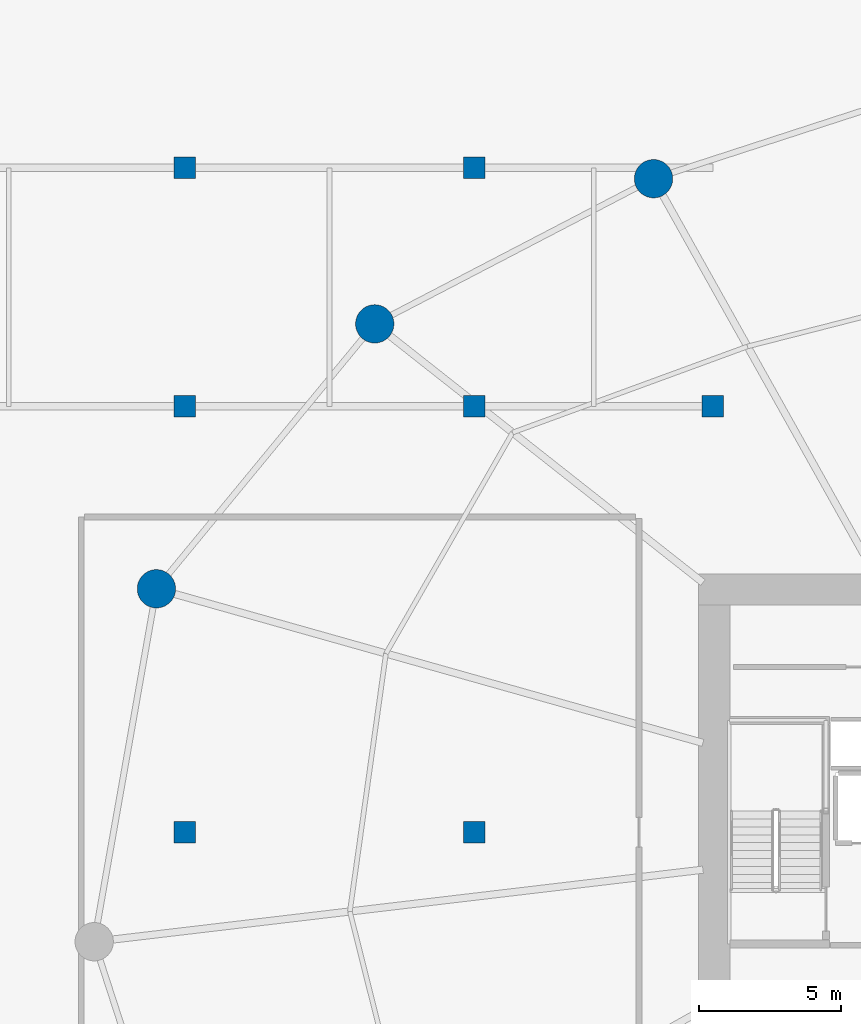
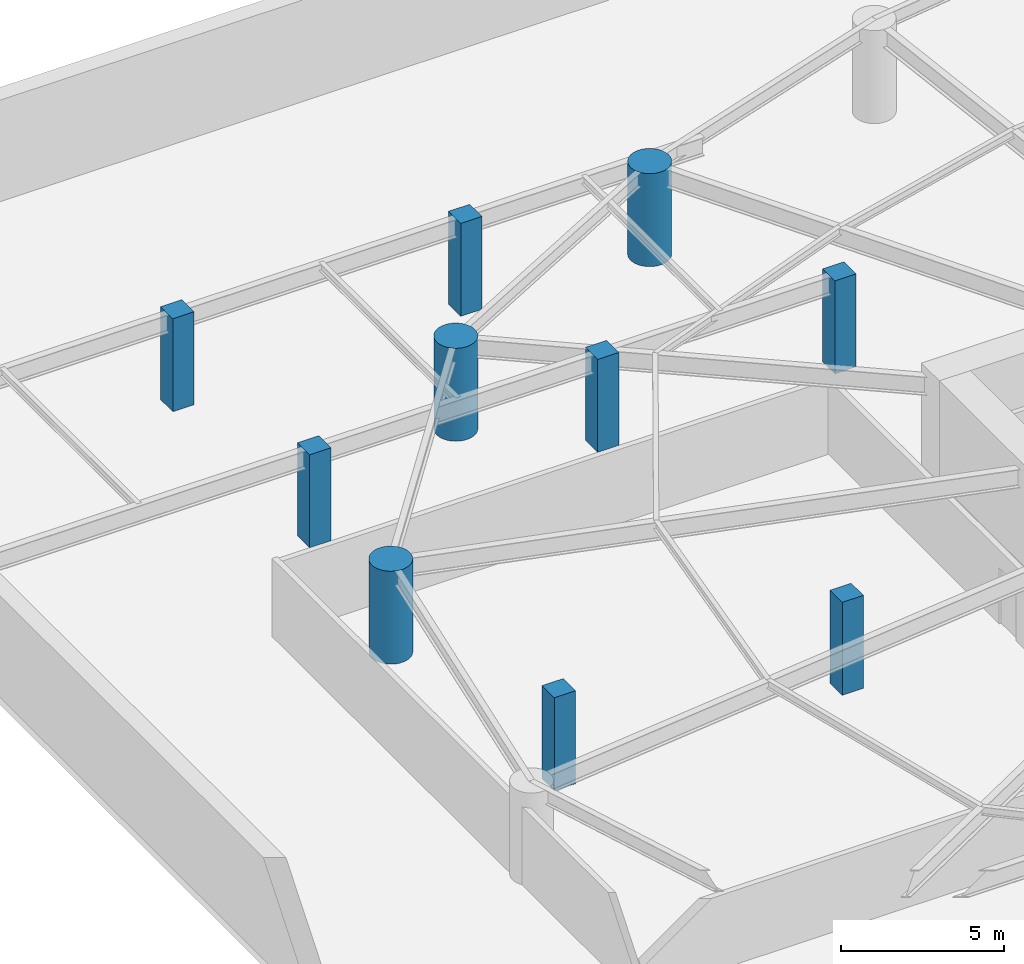
# One storey, part 3 of 13: 10 columns.
"""IFC4 building model written with IfcOpenShell, lengths in metres."""

import ifcopenshell
import ifcopenshell.guid

model = None  # the IFC model being written
_history = None  # IfcOwnerHistory: only IFC2X3 demands one
_inside = {}  # id of a spatial element -> (the spatial element, [elements in it])
_under = {}  # id of a project, library or spatial element -> (it, [spatial elements below it])
_declared = {}  # id of a project -> (the project, [libraries it declares])
_typed = {}  # id of a type object -> (the type object, [elements of that type])
_made_of = {}  # id of a material, layer set ... -> (it, [elements and type objects made of it])


def new_model(schema):
    """Start an empty IFC model of exactly this schema.

    Asked for "IFC4X3", IfcOpenShell would pick the latest addendum, in which some entities
    have other attributes; the version numbers below select the first issue.
    IFC2X3 requires an IfcOwnerHistory on every rooted entity: one is made here for all.
    """
    global model, _history
    if schema == "IFC4X3":
        model = ifcopenshell.file(schema_version=(4, 3, 0, 0))
    else:
        model = ifcopenshell.file(schema=schema)
    _inside.clear()
    _under.clear()
    _declared.clear()
    _typed.clear()
    _made_of.clear()
    _history = None
    if model.schema == "IFC2X3":
        org = make("IfcOrganization", Name="unknown")
        user = make(
            "IfcPersonAndOrganization",
            ThePerson=make("IfcPerson", FamilyName="unknown"),
            TheOrganization=org,
        )
        app = make(
            "IfcApplication",
            ApplicationDeveloper=org,
            Version="unknown",
            ApplicationFullName="unknown",
            ApplicationIdentifier="unknown",
        )
        _history = make(
            "IfcOwnerHistory",
            OwningUser=user,
            OwningApplication=app,
            ChangeAction="ADDED",
            CreationDate=0,
        )
    return model


def make(cls, **values):
    """One entity of the class cls with the attributes given. An attribute that is None is left unset."""
    return model.create_entity(
        cls, **{name: value for name, value in values.items() if value is not None}
    )


def rooted(cls, **values):
    """An entity with a GlobalId (a new one), such as an element, a storey or a relation."""
    return make(cls, GlobalId=ifcopenshell.guid.new(), OwnerHistory=_history, **values)


def si_unit(unit_type, name, prefix=None):
    """IfcSIUnit, for example si_unit("LENGTHUNIT", "METRE", prefix="MILLI")."""
    return make("IfcSIUnit", UnitType=unit_type, Prefix=prefix, Name=name)


def assignment(units):
    """IfcUnitAssignment: the units of a project."""
    return None if units is None else make("IfcUnitAssignment", Units=units)


def point(xyz):
    """IfcCartesianPoint."""
    return None if xyz is None else make("IfcCartesianPoint", Coordinates=xyz)


def direction(xyz):
    """IfcDirection."""
    return None if xyz is None else make("IfcDirection", DirectionRatios=xyz)


def frame(location, z_axis=None, x_axis=None):
    """IfcAxis2Placement3D, a coordinate frame: its origin and axes. An axis left out is left unset."""
    return make(
        "IfcAxis2Placement3D",
        Location=point(location),
        Axis=direction(z_axis),
        RefDirection=direction(x_axis),
    )


def frame_2d(location, x_axis=None):
    """IfcAxis2Placement2D, a coordinate frame in the plane: its origin and x axis."""
    return make(
        "IfcAxis2Placement2D", Location=point(location), RefDirection=direction(x_axis)
    )


def origin():
    """The frame at (0, 0, 0) with its axes left unset."""
    return frame((0.0, 0.0, 0.0))


def origin_2d():
    """The frame at (0, 0) in the plane with its x axis left unset."""
    return frame_2d((0.0, 0.0))


def place(relative_to, where):
    """IfcLocalPlacement: puts the frame where relative to a parent placement (None: the world)."""
    return make(
        "IfcLocalPlacement", PlacementRelTo=relative_to, RelativePlacement=where
    )


def context(
    kind, dimensions, precision=None, world=None, true_north=None, identifier=None
):
    """IfcGeometricRepresentationContext, for example the 3D "Model" context."""
    return make(
        "IfcGeometricRepresentationContext",
        ContextIdentifier=identifier,
        ContextType=kind,
        CoordinateSpaceDimension=dimensions,
        Precision=precision,
        WorldCoordinateSystem=world,
        TrueNorth=true_north,
    )


def subcontext(parent, identifier, kind, view, scale=None):
    """IfcGeometricRepresentationSubContext, for example "Body" below "Model"."""
    return make(
        "IfcGeometricRepresentationSubContext",
        ContextIdentifier=identifier,
        ContextType=kind,
        ParentContext=parent,
        TargetScale=scale,
        TargetView=view,
    )


def project(units=None, contexts=None):
    """IfcProject with its units and contexts."""
    return rooted(
        "IfcProject",
        Name="project",
        RepresentationContexts=contexts,
        UnitsInContext=assignment(units),
    )


def spatial(cls, under=None, at=None, **own):
    """A site, building, storey or space (cls), placed at a placement, below another one or the project."""
    s = rooted(cls, ObjectPlacement=at, **own)
    if under is not None:
        _under.setdefault(under.id(), (under, []))[1].append(s)
    return s


def profile(cls, at=None, kind="AREA", **sizes):
    """A parametric profile (cls). Its sizes go by their IFC names, for example OverallWidth=200.0."""
    return make(cls, ProfileType=kind, Position=at, **sizes)


def rectangle(**sizes):
    """IfcRectangleProfileDef."""
    return profile("IfcRectangleProfileDef", **sizes)


def circle(**sizes):
    """IfcCircleProfileDef."""
    return profile("IfcCircleProfileDef", **sizes)


def extrude(swept, where, along, depth):
    """IfcExtrudedAreaSolid: the profile swept, set in the frame where, extruded along a direction by depth."""
    return make(
        "IfcExtrudedAreaSolid",
        SweptArea=swept,
        Position=where,
        ExtrudedDirection=direction(along),
        Depth=depth,
    )


def shape(context_of_items, identifier, shape_type, items):
    """IfcShapeRepresentation: the items that make up one representation, for example the "Body"."""
    return make(
        "IfcShapeRepresentation",
        ContextOfItems=context_of_items,
        RepresentationIdentifier=identifier,
        RepresentationType=shape_type,
        Items=items,
    )


def material(Name=None, Category=None):
    """IfcMaterial."""
    return make("IfcMaterial", Name=Name, Category=Category)


def material_profile(
    of_material, cross_section, Name=None, Category=None, Priority=None
):
    """IfcMaterialProfile: a cross section and its material."""
    return make(
        "IfcMaterialProfile",
        Name=Name,
        Material=of_material,
        Profile=cross_section,
        Priority=Priority,
        Category=Category,
    )


def profile_set(profiles, Name=None, composite=None):
    """IfcMaterialProfileSet."""
    return make(
        "IfcMaterialProfileSet",
        Name=Name,
        MaterialProfiles=profiles,
        CompositeProfile=composite,
    )


def made_of(thing, what):
    """Note that an element or type object is made of a material, layer set ...; save() writes the relation."""
    if what is not None:
        _made_of.setdefault(what.id(), (what, []))[1].append(thing)
    return thing


def type_object(cls, material=None, **own):
    """A type object (cls), such as IfcWallType, which elements share."""
    return made_of(rooted(cls, **own), material)


def element(
    cls,
    number,
    at=None,
    inside=None,
    cuts=None,
    type_object=None,
    material=None,
    context=None,
    identifier="Body",
    shape_type=None,
    held_by="IfcProductDefinitionShape",
    body=None,
    shapes=None,
    **own,
):
    """One element of the class cls, such as IfcWall. Its Tag is "e" and its number.

    at: its placement. inside: the storey or other place that contains it. cuts: it is an
    opening in that element (IfcRelVoidsElement). A single representation is given by context,
    identifier, shape_type and body (its items); several are given by shapes. held_by: the class
    of the entity that holds the representations. save() writes the other relations.
    """
    e = rooted(cls, Tag="e%d" % number, ObjectPlacement=at, **own)
    if body is not None:
        shapes = [shape(context, identifier, shape_type, body)]
    if shapes is not None:
        e.Representation = make(held_by, Representations=shapes)
    if inside is not None:
        _inside.setdefault(inside.id(), (inside, []))[1].append(e)
    if cuts is not None:
        rooted(
            "IfcRelVoidsElement", RelatingBuildingElement=cuts, RelatedOpeningElement=e
        )
    if type_object is not None:
        _typed.setdefault(type_object.id(), (type_object, []))[1].append(e)
    return made_of(e, material)


def aggregate(whole, parts):
    """IfcRelAggregates: a whole, such as a stair, and the parts it consists of."""
    return rooted("IfcRelAggregates", RelatingObject=whole, RelatedObjects=parts)


def save(model, path):
    """Write the relations noted so far, then the file.

    IfcRelAggregates (storeys below a building ...), IfcRelContainedInSpatialStructure (elements
    in a storey), IfcRelDefinesByType, IfcRelAssociatesMaterial and IfcRelDeclares: one each for
    every whole, place, type object, material and project.
    """
    for whole, parts in _under.values():
        aggregate(whole, parts)
    for where, things in _inside.values():
        rooted(
            "IfcRelContainedInSpatialStructure",
            RelatedElements=things,
            RelatingStructure=where,
        )
    for kind, things in _typed.values():
        rooted("IfcRelDefinesByType", RelatedObjects=things, RelatingType=kind)
    for what, things in _made_of.values():
        rooted("IfcRelAssociatesMaterial", RelatedObjects=things, RelatingMaterial=what)
    for by, libraries in _declared.values():
        rooted("IfcRelDeclares", RelatingContext=by, RelatedDefinitions=libraries)
    model.write(path)


model = new_model("IFC4")

# Units and contexts
model_context = context("Model", 3, precision=1e-05, world=origin(), true_north=direction((0.0, 1.0)))
body_context = subcontext(model_context, "Body", "Model", "MODEL_VIEW")
ifc_project = project(units=[si_unit("LENGTHUNIT", "METRE"), si_unit("AREAUNIT", "SQUARE_METRE"), si_unit("VOLUMEUNIT", "CUBIC_METRE"), si_unit("PLANEANGLEUNIT", "RADIAN"), si_unit("MASSUNIT", "GRAM", prefix="KILO")], contexts=[model_context])

# Site, building, storey
site_placement = place(None, origin())
site = spatial("IfcSite", under=ifc_project, at=site_placement, CompositionType="ELEMENT")
building_placement = place(site_placement, origin())
building = spatial("IfcBuilding", under=site, at=building_placement, Name="Kazma Halo Residences", CompositionType="ELEMENT")
storey_placement = place(building_placement, frame((0.0, 0.0, -3.800048828125)))
storey = spatial("IfcBuildingStorey", under=building, at=storey_placement, Name="B01", CompositionType="ELEMENT", Elevation=-3.800048828125)

# Columns
ifc_material_1 = material(Name="Concrete C60/75", Category="concrete")
ifc_material_profile_1 = material_profile(ifc_material_1, rectangle(XDim=0.75, YDim=0.75, at=origin_2d()), Name="RECT750x750")
ifc_profile_set_1 = profile_set([ifc_material_profile_1], Name="Concrete C60/75")
column_type_1 = type_object("IfcColumnType", Name="COL-BSMT-750", PredefinedType="COLUMN", material=ifc_profile_set_1)
for number, where, z_axis, x_axis, name in (
    (1, (18.60009765625, 42.0, 0.0), (0.0, 0.0, 1.0), (1.0, 0.0, 0.0), "B01 parking grid column 03"),
    (2, (18.60009765625, 57.0, 0.0), (0.0, 0.0, 1.0), (1.0, 0.0, 0.0), "B01 parking grid column 04"),
    (3, (18.60009765625, 65.39990234375, 0.0), (0.0, 0.0, 1.0), (1.0, 0.0, 0.0), "B01 parking grid column 05"),
    (4, (28.800048828125, 42.0, 0.0), (0.0, 0.0, 1.0), (1.0, 0.0, 0.0), "B01 parking grid column 08"),
    (5, (28.800048828125, 57.0, 0.0), (0.0, 0.0, 1.0), (1.0, 0.0, 0.0), "B01 parking grid column 09"),
    (6, (28.800048828125, 65.39990234375, 0.0), (0.0, 0.0, 1.0), (1.0, 0.0, 0.0), "B01 parking grid column 10"),
    (7, (37.199951171875, 57.0, 0.0), (0.0, 0.0, 1.0), (1.0, 0.0, 0.0), "B01 parking grid column 13"),
):
    element("IfcColumn", number, at=place(storey_placement, frame(where, z_axis=z_axis, x_axis=x_axis)), inside=storey, type_object=column_type_1, Name=name, PredefinedType="COLUMN", context=body_context, shape_type="SweptSolid", body=[
        extrude(rectangle(XDim=0.75, YDim=0.75, at=origin_2d()), origin(), (0.0, 0.0, 1.0), 3.47998046875),
    ])
ifc_material_2 = material(Name="Concrete C80/95", Category="concrete")
ifc_material_profile_2 = material_profile(ifc_material_2, circle(Radius=0.675048828125, at=origin_2d()), Name="CIRC1350")
ifc_profile_set_2 = profile_set([ifc_material_profile_2], Name="Concrete C80/95")
column_type_2 = type_object("IfcColumnType", Name="COL-PERIM-1350", PredefinedType="COLUMN", material=ifc_profile_set_2)
for number, where, z_axis, x_axis, name in (
    (8, (35.110595703125, 65.015625, 0.0), (0.0, 0.0, 1.0), (1.0, 0.0, 0.0), "B01 perimeter ring column P05"),
    (9, (25.291015625, 59.90234375, 0.0), (0.0, 0.0, 1.0), (1.0, 0.0, 0.0), "B01 perimeter ring column P06"),
    (10, (17.602294921875, 50.572998046875, 0.0), (0.0, 0.0, 1.0), (1.0, 0.0, 0.0), "B01 perimeter ring column P07"),
):
    element("IfcColumn", number, at=place(storey_placement, frame(where, z_axis=z_axis, x_axis=x_axis)), inside=storey, type_object=column_type_2, Name=name, PredefinedType="COLUMN", context=body_context, shape_type="SweptSolid", body=[
        extrude(circle(Radius=0.675048828125, at=origin_2d()), origin(), (0.0, 0.0, 1.0), 3.47998046875),
    ])

save(model, "model.ifc")
